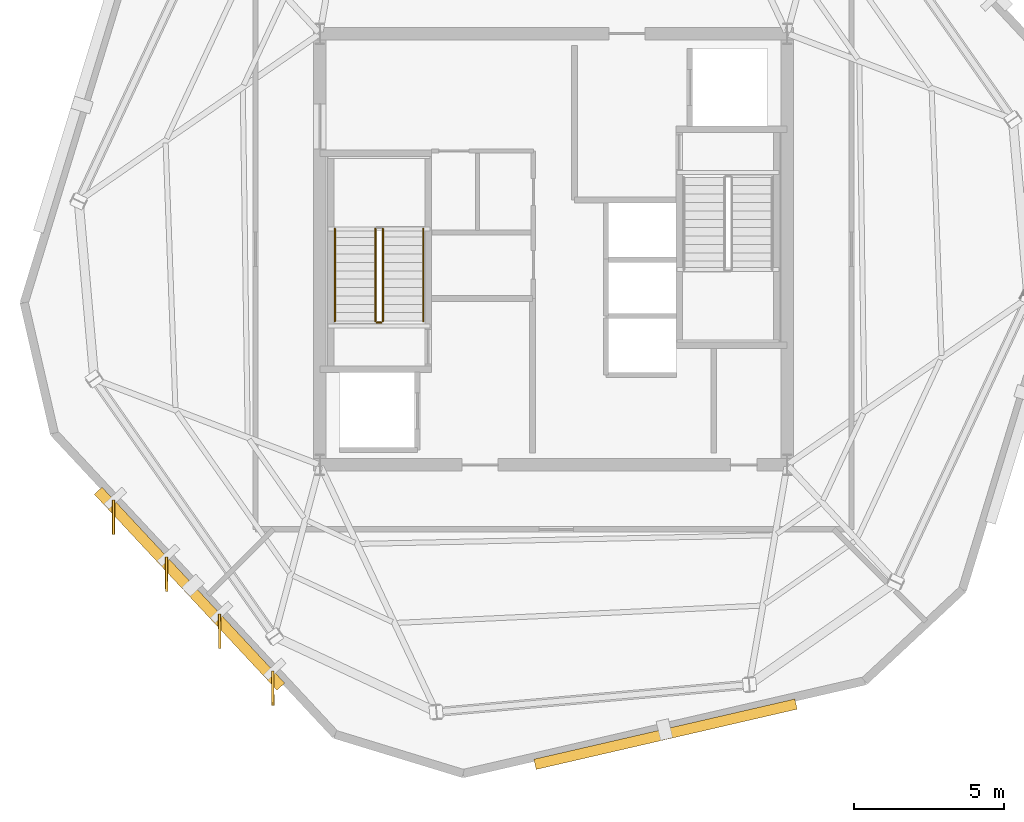
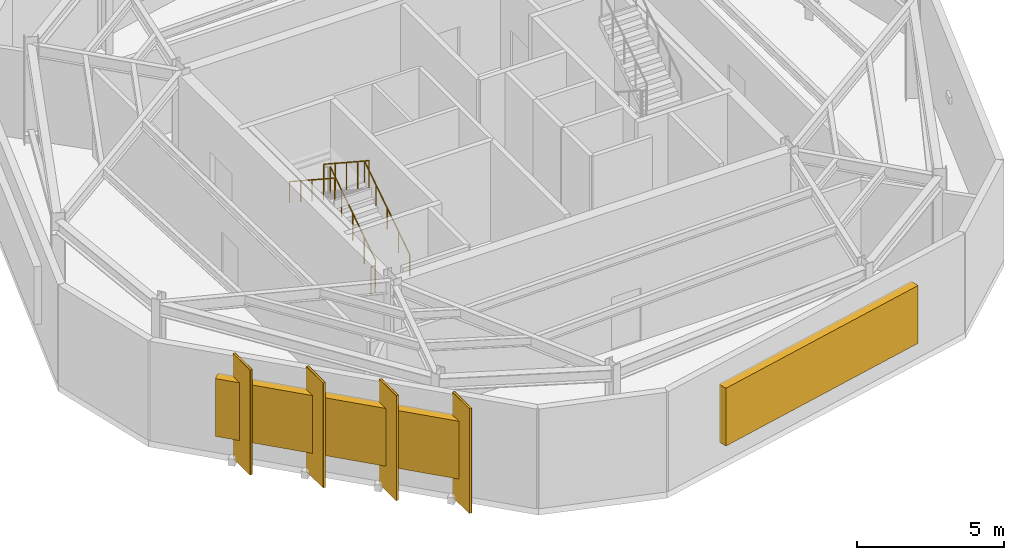
# One storey, part 5 of 7: 6 shading devices, 5 railings, 4 coverings.
"""IFC4 building model written with IfcOpenShell, lengths in metres."""

import ifcopenshell
import ifcopenshell.guid

model = None  # the IFC model being written
_history = None  # IfcOwnerHistory: only IFC2X3 demands one
_inside = {}  # id of a spatial element -> (the spatial element, [elements in it])
_under = {}  # id of a project, library or spatial element -> (it, [spatial elements below it])
_declared = {}  # id of a project -> (the project, [libraries it declares])
_typed = {}  # id of a type object -> (the type object, [elements of that type])
_made_of = {}  # id of a material, layer set ... -> (it, [elements and type objects made of it])


def new_model(schema):
    """Start an empty IFC model of exactly this schema.

    Asked for "IFC4X3", IfcOpenShell would pick the latest addendum, in which some entities
    have other attributes; the version numbers below select the first issue.
    IFC2X3 requires an IfcOwnerHistory on every rooted entity: one is made here for all.
    """
    global model, _history
    if schema == "IFC4X3":
        model = ifcopenshell.file(schema_version=(4, 3, 0, 0))
    else:
        model = ifcopenshell.file(schema=schema)
    _inside.clear()
    _under.clear()
    _declared.clear()
    _typed.clear()
    _made_of.clear()
    _history = None
    if model.schema == "IFC2X3":
        org = make("IfcOrganization", Name="unknown")
        user = make(
            "IfcPersonAndOrganization",
            ThePerson=make("IfcPerson", FamilyName="unknown"),
            TheOrganization=org,
        )
        app = make(
            "IfcApplication",
            ApplicationDeveloper=org,
            Version="unknown",
            ApplicationFullName="unknown",
            ApplicationIdentifier="unknown",
        )
        _history = make(
            "IfcOwnerHistory",
            OwningUser=user,
            OwningApplication=app,
            ChangeAction="ADDED",
            CreationDate=0,
        )
    return model


def make(cls, **values):
    """One entity of the class cls with the attributes given. An attribute that is None is left unset."""
    return model.create_entity(
        cls, **{name: value for name, value in values.items() if value is not None}
    )


def rooted(cls, **values):
    """An entity with a GlobalId (a new one), such as an element, a storey or a relation."""
    return make(cls, GlobalId=ifcopenshell.guid.new(), OwnerHistory=_history, **values)


def si_unit(unit_type, name, prefix=None):
    """IfcSIUnit, for example si_unit("LENGTHUNIT", "METRE", prefix="MILLI")."""
    return make("IfcSIUnit", UnitType=unit_type, Prefix=prefix, Name=name)


def assignment(units):
    """IfcUnitAssignment: the units of a project."""
    return None if units is None else make("IfcUnitAssignment", Units=units)


def point(xyz):
    """IfcCartesianPoint."""
    return None if xyz is None else make("IfcCartesianPoint", Coordinates=xyz)


def direction(xyz):
    """IfcDirection."""
    return None if xyz is None else make("IfcDirection", DirectionRatios=xyz)


def frame(location, z_axis=None, x_axis=None):
    """IfcAxis2Placement3D, a coordinate frame: its origin and axes. An axis left out is left unset."""
    return make(
        "IfcAxis2Placement3D",
        Location=point(location),
        Axis=direction(z_axis),
        RefDirection=direction(x_axis),
    )


def frame_2d(location, x_axis=None):
    """IfcAxis2Placement2D, a coordinate frame in the plane: its origin and x axis."""
    return make(
        "IfcAxis2Placement2D", Location=point(location), RefDirection=direction(x_axis)
    )


def origin():
    """The frame at (0, 0, 0) with its axes left unset."""
    return frame((0.0, 0.0, 0.0))


def origin_2d():
    """The frame at (0, 0) in the plane with its x axis left unset."""
    return frame_2d((0.0, 0.0))


def place(relative_to, where):
    """IfcLocalPlacement: puts the frame where relative to a parent placement (None: the world)."""
    return make(
        "IfcLocalPlacement", PlacementRelTo=relative_to, RelativePlacement=where
    )


def context(
    kind, dimensions, precision=None, world=None, true_north=None, identifier=None
):
    """IfcGeometricRepresentationContext, for example the 3D "Model" context."""
    return make(
        "IfcGeometricRepresentationContext",
        ContextIdentifier=identifier,
        ContextType=kind,
        CoordinateSpaceDimension=dimensions,
        Precision=precision,
        WorldCoordinateSystem=world,
        TrueNorth=true_north,
    )


def subcontext(parent, identifier, kind, view, scale=None):
    """IfcGeometricRepresentationSubContext, for example "Body" below "Model"."""
    return make(
        "IfcGeometricRepresentationSubContext",
        ContextIdentifier=identifier,
        ContextType=kind,
        ParentContext=parent,
        TargetScale=scale,
        TargetView=view,
    )


def project(units=None, contexts=None):
    """IfcProject with its units and contexts."""
    return rooted(
        "IfcProject",
        Name="project",
        RepresentationContexts=contexts,
        UnitsInContext=assignment(units),
    )


def spatial(cls, under=None, at=None, **own):
    """A site, building, storey or space (cls), placed at a placement, below another one or the project."""
    s = rooted(cls, ObjectPlacement=at, **own)
    if under is not None:
        _under.setdefault(under.id(), (under, []))[1].append(s)
    return s


def profile(cls, at=None, kind="AREA", **sizes):
    """A parametric profile (cls). Its sizes go by their IFC names, for example OverallWidth=200.0."""
    return make(cls, ProfileType=kind, Position=at, **sizes)


def rectangle(**sizes):
    """IfcRectangleProfileDef."""
    return profile("IfcRectangleProfileDef", **sizes)


def circle(**sizes):
    """IfcCircleProfileDef."""
    return profile("IfcCircleProfileDef", **sizes)


def extrude(swept, where, along, depth):
    """IfcExtrudedAreaSolid: the profile swept, set in the frame where, extruded along a direction by depth."""
    return make(
        "IfcExtrudedAreaSolid",
        SweptArea=swept,
        Position=where,
        ExtrudedDirection=direction(along),
        Depth=depth,
    )


def shape(context_of_items, identifier, shape_type, items):
    """IfcShapeRepresentation: the items that make up one representation, for example the "Body"."""
    return make(
        "IfcShapeRepresentation",
        ContextOfItems=context_of_items,
        RepresentationIdentifier=identifier,
        RepresentationType=shape_type,
        Items=items,
    )


def material(Name=None, Category=None):
    """IfcMaterial."""
    return make("IfcMaterial", Name=Name, Category=Category)


def layer(
    of_material, thickness, ventilated=None, Name=None, Category=None, Priority=None
):
    """IfcMaterialLayer: one layer of a wall or slab, of a material (None: an air gap)."""
    return make(
        "IfcMaterialLayer",
        Material=of_material,
        LayerThickness=thickness,
        IsVentilated=ventilated,
        Name=Name,
        Category=Category,
        Priority=Priority,
    )


def layer_set(layers, Name=None):
    """IfcMaterialLayerSet."""
    return make("IfcMaterialLayerSet", MaterialLayers=layers, LayerSetName=Name)


def made_of(thing, what):
    """Note that an element or type object is made of a material, layer set ...; save() writes the relation."""
    if what is not None:
        _made_of.setdefault(what.id(), (what, []))[1].append(thing)
    return thing


def type_object(cls, material=None, **own):
    """A type object (cls), such as IfcWallType, which elements share."""
    return made_of(rooted(cls, **own), material)


def element(
    cls,
    number,
    at=None,
    inside=None,
    cuts=None,
    type_object=None,
    material=None,
    context=None,
    identifier="Body",
    shape_type=None,
    held_by="IfcProductDefinitionShape",
    body=None,
    shapes=None,
    **own,
):
    """One element of the class cls, such as IfcWall. Its Tag is "e" and its number.

    at: its placement. inside: the storey or other place that contains it. cuts: it is an
    opening in that element (IfcRelVoidsElement). A single representation is given by context,
    identifier, shape_type and body (its items); several are given by shapes. held_by: the class
    of the entity that holds the representations. save() writes the other relations.
    """
    e = rooted(cls, Tag="e%d" % number, ObjectPlacement=at, **own)
    if body is not None:
        shapes = [shape(context, identifier, shape_type, body)]
    if shapes is not None:
        e.Representation = make(held_by, Representations=shapes)
    if inside is not None:
        _inside.setdefault(inside.id(), (inside, []))[1].append(e)
    if cuts is not None:
        rooted(
            "IfcRelVoidsElement", RelatingBuildingElement=cuts, RelatedOpeningElement=e
        )
    if type_object is not None:
        _typed.setdefault(type_object.id(), (type_object, []))[1].append(e)
    return made_of(e, material)


def aggregate(whole, parts):
    """IfcRelAggregates: a whole, such as a stair, and the parts it consists of."""
    return rooted("IfcRelAggregates", RelatingObject=whole, RelatedObjects=parts)


def save(model, path):
    """Write the relations noted so far, then the file.

    IfcRelAggregates (storeys below a building ...), IfcRelContainedInSpatialStructure (elements
    in a storey), IfcRelDefinesByType, IfcRelAssociatesMaterial and IfcRelDeclares: one each for
    every whole, place, type object, material and project.
    """
    for whole, parts in _under.values():
        aggregate(whole, parts)
    for where, things in _inside.values():
        rooted(
            "IfcRelContainedInSpatialStructure",
            RelatedElements=things,
            RelatingStructure=where,
        )
    for kind, things in _typed.values():
        rooted("IfcRelDefinesByType", RelatedObjects=things, RelatingType=kind)
    for what, things in _made_of.values():
        rooted("IfcRelAssociatesMaterial", RelatedObjects=things, RelatingMaterial=what)
    for by, libraries in _declared.values():
        rooted("IfcRelDeclares", RelatingContext=by, RelatedDefinitions=libraries)
    model.write(path)


model = new_model("IFC4")

# Units and contexts
model_context = context("Model", 3, precision=1e-05, world=origin(), true_north=direction((0.0, 1.0)))
body_context = subcontext(model_context, "Body", "Model", "MODEL_VIEW")
ifc_project = project(units=[si_unit("LENGTHUNIT", "METRE"), si_unit("AREAUNIT", "SQUARE_METRE"), si_unit("VOLUMEUNIT", "CUBIC_METRE"), si_unit("PLANEANGLEUNIT", "RADIAN"), si_unit("MASSUNIT", "GRAM", prefix="KILO")], contexts=[model_context])

# Site, building, storey
site_placement = place(None, origin())
site = spatial("IfcSite", under=ifc_project, at=site_placement, CompositionType="ELEMENT")
building_placement = place(site_placement, origin())
building = spatial("IfcBuilding", under=site, at=building_placement, Name="Kranzbogen Civic Tower", CompositionType="ELEMENT")
storey_placement = place(building_placement, frame((0.0, 0.0, 318.199951171875)))
storey = spatial("IfcBuildingStorey", under=building, at=storey_placement, Name="L77", CompositionType="ELEMENT", Elevation=318.199951171875)

# Coverings
ifc_material_1 = material(Name="Pale Anodised Aluminium", Category="aluminium")
ifc_layer = layer(ifc_material_1, 0.02490234375, Name="Pale Anodised Aluminium")
ifc_layer_set = layer_set([ifc_layer], Name="Pale Anodised Aluminium")
covering_type = type_object("IfcCoveringType", Name="Anodised Aluminium Vertical Fin Cladding 25 mm", PredefinedType="CLADDING", material=ifc_layer_set)
for number, where, z_axis, x_axis, name in (
    (1, (10.306884765625, 16.052978515625, -0.14013671875), (0.0, 0.0, 1.0), (0.005968990597, -0.999982185417, 0.0), "L77 vertical fin pale-metal cladding F3-1"),
    (2, (12.080078125, 14.15087890625, -0.14013671875), (0.0, 0.0, 1.0), (0.005968990597, -0.999982185417, 0.0), "L77 vertical fin pale-metal cladding F3-2"),
    (3, (13.85302734375, 12.25, -0.14013671875), (0.0, 0.0, 1.0), (0.005968990597, -0.999982185417, 0.0), "L77 vertical fin pale-metal cladding F3-3"),
    (4, (15.6259765625, 10.347900390625, -0.14013671875), (0.0, 0.0, 1.0), (0.005968990597, -0.999982185417, 0.0), "L77 vertical fin pale-metal cladding F3-4"),
):
    element("IfcCovering", number, at=place(storey_placement, frame(where, z_axis=z_axis, x_axis=x_axis)), inside=storey, type_object=covering_type, Name=name, PredefinedType="CLADDING", context=body_context, shape_type="SweptSolid", body=[
        extrude(rectangle(XDim=1.14990234375, YDim=0.094970703125, at=origin_2d()), origin(), (0.0, 0.0, 1.0), 4.360107421875),
    ])

# Railings
ifc_material_2 = material(Name="Steel S355", Category="steel")
railing_type_1 = type_object("IfcRailingType", Name="Internal Stair and Void Steel Guardrail 1150", PredefinedType="GUARDRAIL", material=ifc_material_2)
railing_1_placement = place(storey_placement, frame((19.300048828125, 22.60009765625, 0.183349609375)))
element("IfcRailing", 5, at=railing_1_placement, inside=storey, type_object=railing_type_1, Name="L77 ST-T1 stair guard 1", PredefinedType="GUARDRAIL", context=body_context, shape_type="SweptSolid", body=[
    extrude(circle(Radius=0.02392578125, at=origin_2d()), frame((0.0, 0.0, 1.1259765625), z_axis=(0.0, 0.836613101238, 0.547794230379), x_axis=(-1.0, 0.0, 0.0)), (0.0, 0.0, 1.0), 3.681396484375),
    extrude(circle(Radius=0.02099609375, at=origin_2d()), origin(), (0.0, 0.0, 1.0), 1.101806640625),
    extrude(circle(Radius=0.02099609375, at=origin_2d()), frame((0.0, 0.77001953125, 0.504150390625)), (0.0, 0.0, 1.0), 1.101806640625),
    extrude(circle(Radius=0.02099609375, at=origin_2d()), frame((0.0, 1.5400390625, 1.00830078125)), (0.0, 0.0, 1.0), 1.101806640625),
    extrude(circle(Radius=0.02099609375, at=origin_2d()), frame((0.0, 2.309814453125, 1.512451171875)), (0.0, 0.0, 1.0), 1.101806640625),
    extrude(circle(Radius=0.02099609375, at=origin_2d()), frame((0.0, 3.079833984375, 2.0166015625)), (0.0, 0.0, 1.0), 1.101806640625),
])
railing_2_placement = place(storey_placement, frame((19.050048828125, 25.679931640625, 2.38330078125)))
element("IfcRailing", 6, at=railing_2_placement, inside=storey, type_object=railing_type_1, Name="L77 ST-T1 stair guard 3", PredefinedType="GUARDRAIL", context=body_context, shape_type="SweptSolid", body=[
    extrude(circle(Radius=0.02392578125, at=origin_2d()), frame((0.0, 0.0, 1.1259765625), z_axis=(0.0, -0.836582707638, 0.547840645882), x_axis=(1.0, 0.0, 0.0)), (0.0, 0.0, 1.0), 3.681396484375),
    extrude(circle(Radius=0.02099609375, at=origin_2d()), origin(), (0.0, 0.0, 1.0), 1.101806640625),
    extrude(circle(Radius=0.02099609375, at=origin_2d()), frame((0.0, -0.77001953125, 0.504150390625)), (0.0, 0.0, 1.0), 1.101806640625),
    extrude(circle(Radius=0.02099609375, at=origin_2d()), frame((0.0, -1.5400390625, 1.00830078125)), (0.0, 0.0, 1.0), 1.101806640625),
    extrude(circle(Radius=0.02099609375, at=origin_2d()), frame((0.0, -2.309814453125, 1.5126953125)), (0.0, 0.0, 1.0), 1.101806640625),
    extrude(circle(Radius=0.02099609375, at=origin_2d()), frame((0.0, -3.079833984375, 2.016845703125)), (0.0, 0.0, 1.0), 1.101806640625),
])
railing_3_placement = place(storey_placement, frame((19.25, 22.550048828125, 0.0)))
element("IfcRailing", 7, at=railing_3_placement, inside=storey, type_object=railing_type_1, Name="L77 ST-T1 stair guard 4", PredefinedType="GUARDRAIL", context=body_context, shape_type="SweptSolid", body=[
    extrude(circle(Radius=0.02392578125, at=origin_2d()), frame((0.0, 0.0, 1.1259765625), z_axis=(-1.0, 0.0, 0.0), x_axis=(0.0, -1.0, 0.0)), (0.0, 0.0, 1.0), 0.14990234375),
    extrude(circle(Radius=0.02099609375, at=origin_2d()), origin(), (0.0, 0.0, 1.0), 1.101806640625),
    extrude(circle(Radius=0.02099609375, at=origin_2d()), frame((-0.14990234375, 0.0, 0.0)), (0.0, 0.0, 1.0), 1.101806640625),
])

# Shading devices
shading_device_type_1 = type_object("IfcShadingDeviceType", Name="Pale Anodised Aluminium Crown Fin 1150x75", PredefinedType="USERDEFINED", material=ifc_material_1)
for number, where, z_axis, x_axis, name in (
    (8, (10.306884765625, 16.052978515625, -0.14013671875), (0.0, 0.0, 1.0), (0.005968990597, -0.999982185417, 0.0), "L77 vertical exterior shading fin F3-1"),
    (9, (12.080078125, 14.15087890625, -0.14013671875), (0.0, 0.0, 1.0), (0.005968990597, -0.999982185417, 0.0), "L77 vertical exterior shading fin F3-2"),
    (10, (13.85302734375, 12.25, -0.14013671875), (0.0, 0.0, 1.0), (0.005968990597, -0.999982185417, 0.0), "L77 vertical exterior shading fin F3-3"),
    (11, (15.6259765625, 10.347900390625, -0.14013671875), (0.0, 0.0, 1.0), (0.005968990597, -0.999982185417, 0.0), "L77 vertical exterior shading fin F3-4"),
):
    element("IfcShadingDevice", number, at=place(storey_placement, frame(where, z_axis=z_axis, x_axis=x_axis)), inside=storey, type_object=shading_device_type_1, Name=name, ObjectType="FIN", PredefinedType="USERDEFINED", context=body_context, shape_type="SweptSolid", body=[
        extrude(rectangle(XDim=1.14990234375, YDim=0.074951171875, at=origin_2d()), origin(), (0.0, 0.0, 1.0), 4.360107421875),
    ])
shading_device_type_2 = type_object("IfcShadingDeviceType", Name="Plant Band Acoustic Weather Louvre Module", PredefinedType="USERDEFINED", material=ifc_material_1)
for number, where, z_axis, x_axis, name in (
    (12, (12.844970703125, 13.666015625, 0.8701171875), (0.0, 0.0, 1.0), (0.682036652718, -0.731317991266, 0.0), "L77 acoustic intake louvre 3"),
    (13, (28.738037109375, 8.806884765625, 0.8701171875), (0.0, 0.0, 1.0), (0.9743661385, 0.224968060275, 0.0), "L77 acoustic intake louvre 4"),
):
    element("IfcShadingDevice", number, at=place(storey_placement, frame(where, z_axis=z_axis, x_axis=x_axis)), inside=storey, type_object=shading_device_type_2, Name=name, ObjectType="LOUVRE", PredefinedType="USERDEFINED", context=body_context, shape_type="SweptSolid", body=[
        extrude(rectangle(XDim=8.9423828125, YDim=0.35009765625, at=origin_2d()), origin(), (0.0, 0.0, 1.0), 2.39990234375),
    ])

# Railings
railing_type_2 = type_object("IfcRailingType", Name="Tubular Stainless Stair Wall Handrail 900", PredefinedType="HANDRAIL", material=ifc_material_1)
railing_4_placement = place(storey_placement, frame((20.64990234375, 22.60009765625, 0.183349609375)))
element("IfcRailing", 14, at=railing_4_placement, inside=storey, type_object=railing_type_2, Name="L77 ST-T1 stair handrail 1", PredefinedType="HANDRAIL", context=body_context, shape_type="SweptSolid", body=[
    extrude(circle(Radius=0.02392578125, at=origin_2d()), frame((0.0, 0.0, 0.8759765625), z_axis=(0.0, 0.836613101238, 0.547794230379), x_axis=(-1.0, 0.0, 0.0)), (0.0, 0.0, 1.0), 3.681396484375),
    extrude(circle(Radius=0.02099609375, at=origin_2d()), origin(), (0.0, 0.0, 1.0), 0.851806640625),
    extrude(circle(Radius=0.02099609375, at=origin_2d()), frame((0.0, 0.77001953125, 0.504150390625)), (0.0, 0.0, 1.0), 0.851806640625),
    extrude(circle(Radius=0.02099609375, at=origin_2d()), frame((0.0, 1.5400390625, 1.00830078125)), (0.0, 0.0, 1.0), 0.851806640625),
    extrude(circle(Radius=0.02099609375, at=origin_2d()), frame((0.0, 2.309814453125, 1.512451171875)), (0.0, 0.0, 1.0), 0.851806640625),
    extrude(circle(Radius=0.02099609375, at=origin_2d()), frame((0.0, 3.079833984375, 2.0166015625)), (0.0, 0.0, 1.0), 0.851806640625),
])
railing_5_placement = place(storey_placement, frame((17.699951171875, 25.679931640625, 2.38330078125)))
element("IfcRailing", 15, at=railing_5_placement, inside=storey, type_object=railing_type_2, Name="L77 ST-T1 stair handrail 2", PredefinedType="HANDRAIL", context=body_context, shape_type="SweptSolid", body=[
    extrude(circle(Radius=0.02392578125, at=origin_2d()), frame((0.0, 0.0, 0.8759765625), z_axis=(0.0, -0.836582707638, 0.547840645882), x_axis=(1.0, 0.0, 0.0)), (0.0, 0.0, 1.0), 3.681396484375),
    extrude(circle(Radius=0.02099609375, at=origin_2d()), origin(), (0.0, 0.0, 1.0), 0.851806640625),
    extrude(circle(Radius=0.02099609375, at=origin_2d()), frame((0.0, -0.77001953125, 0.504150390625)), (0.0, 0.0, 1.0), 0.851806640625),
    extrude(circle(Radius=0.02099609375, at=origin_2d()), frame((0.0, -1.5400390625, 1.00830078125)), (0.0, 0.0, 1.0), 0.851806640625),
    extrude(circle(Radius=0.02099609375, at=origin_2d()), frame((0.0, -2.309814453125, 1.5126953125)), (0.0, 0.0, 1.0), 0.851806640625),
    extrude(circle(Radius=0.02099609375, at=origin_2d()), frame((0.0, -3.079833984375, 2.016845703125)), (0.0, 0.0, 1.0), 0.851806640625),
])

save(model, "model.ifc")
